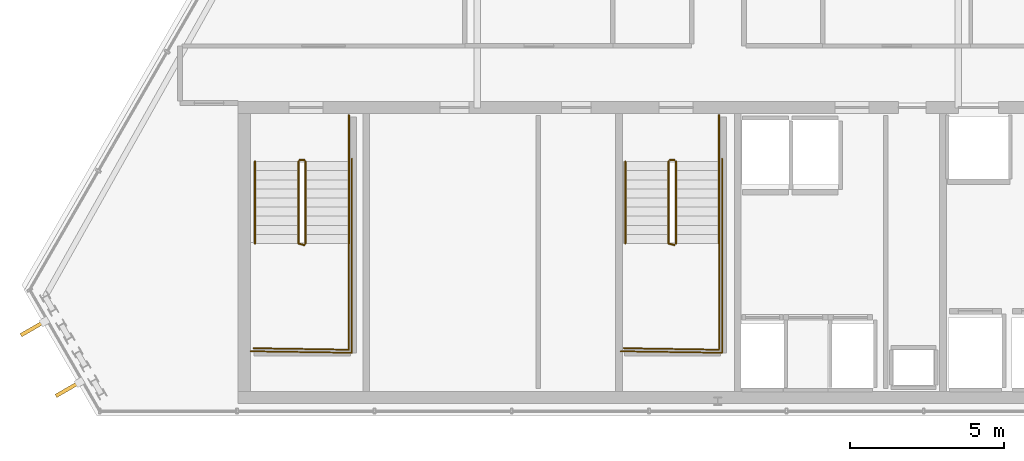
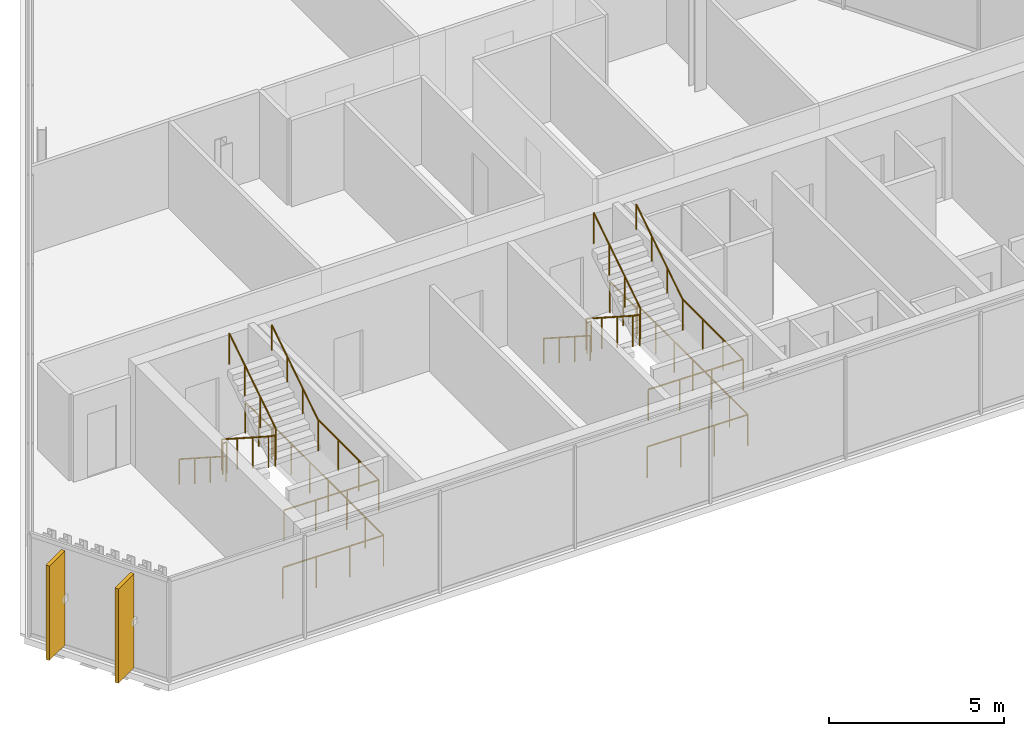
# One storey, part 30 of 32: 16 railings, 2 shading devices.
"""IFC4 building model written with IfcOpenShell, lengths in metres."""

from ifc_helpers import new_model, si_unit, direction, frame, origin, origin_2d, place, context, subcontext, project, spatial, rectangle, circle, extrude, material, layer, layer_set, type_object, element, save


model = new_model("IFC4")

# Units and contexts
model_context = context("Model", 3, precision=1e-05, world=origin(), true_north=direction((0.0, 1.0)))
body_context = subcontext(model_context, "Body", "Model", "MODEL_VIEW")
ifc_project = project(units=[si_unit("LENGTHUNIT", "METRE"), si_unit("AREAUNIT", "SQUARE_METRE"), si_unit("VOLUMEUNIT", "CUBIC_METRE"), si_unit("PLANEANGLEUNIT", "RADIAN"), si_unit("MASSUNIT", "GRAM", prefix="KILO")], contexts=[model_context])

# Site, building, storey
site_placement = place(None, origin())
site = spatial("IfcSite", under=ifc_project, at=site_placement, CompositionType="ELEMENT")
building_placement = place(site_placement, origin())
building = spatial("IfcBuilding", under=site, at=building_placement, Name="Ndaravel Arena Tower", CompositionType="ELEMENT")
storey_placement = place(building_placement, frame((0.0, 0.0, 283.300048828125)))
storey = spatial("IfcBuildingStorey", under=building, at=storey_placement, Name="L69", CompositionType="ELEMENT", Elevation=283.300048828125)

# Railings
ifc_material_1 = material(Name="Steel S355", Category="steel")
ifc_layer_1 = layer(ifc_material_1, 0.06005859375)
ifc_layer_set_1 = layer_set([ifc_layer_1], Name="Steel S355")
railing_type_1 = type_object("IfcRailingType", Name="RAIL-STAIR-GD1100", PredefinedType="GUARDRAIL", material=ifc_layer_set_1)
railing_1_placement = place(storey_placement, frame((28.39990234375, 13.25, 0.18994140625)))
element("IfcRailing", 1, at=railing_1_placement, inside=storey, type_object=railing_type_1, Name="L69 ST-1 stair guard 1", PredefinedType="GUARDRAIL", context=body_context, shape_type="SweptSolid", body=[
    extrude(circle(Radius=0.02392578125, at=origin_2d()), frame((0.0, 0.0, 1.076171875), z_axis=(0.0, -0.840723540582, 0.54146461409), x_axis=(1.0, 0.0, 0.0)), (0.0, 0.0, 1.0), 3.157958984375),
    extrude(circle(Radius=0.02392578125, at=origin_2d()), frame((0.0, -2.655029296875, 2.7861328125), z_axis=(0.967074537263, -0.25449329928, 0.0), x_axis=(0.25449329928, 0.967074537263, 0.0)), (0.0, 0.0, 1.0), 0.19677734375),
    extrude(circle(Radius=0.02099609375, at=origin_2d()), origin(), (0.0, 0.0, 1.0), 1.052001953125),
    extrude(circle(Radius=0.02099609375, at=origin_2d()), frame((0.0, -0.885009765625, 0.570068359375)), (0.0, 0.0, 1.0), 1.052001953125),
    extrude(circle(Radius=0.02099609375, at=origin_2d()), frame((0.0, -1.77001953125, 1.139892578125)), (0.0, 0.0, 1.0), 1.052001953125),
    extrude(circle(Radius=0.02099609375, at=origin_2d()), frame((0.0, -2.655029296875, 1.7099609375)), (0.0, 0.0, 1.0), 1.052001953125),
    extrude(circle(Radius=0.02099609375, at=origin_2d()), frame((0.190185546875, -2.705078125, 1.7099609375)), (0.0, 0.0, 1.0), 1.052001953125),
])
railing_2_placement = place(storey_placement, frame((30.0400390625, 10.594970703125, 1.89990234375)))
element("IfcRailing", 2, at=railing_2_placement, inside=storey, type_object=railing_type_1, Name="L69 ST-1 stair guard 2", PredefinedType="GUARDRAIL", context=body_context, shape_type="SweptSolid", body=[
    extrude(circle(Radius=0.02392578125, at=origin_2d()), frame((0.0, 0.0, 1.076171875), z_axis=(0.0, -1.0, 0.0), x_axis=(1.0, 0.0, 0.0)), (0.0, 0.0, 1.0), 3.445068359375),
    extrude(circle(Radius=0.02392578125, at=origin_2d()), frame((0.0, -3.445068359375, 1.076171875), z_axis=(-0.999868861343, 0.016194447071, 0.0), x_axis=(-0.016194447071, -0.999868861343, 0.0)), (0.0, 0.0, 1.0), 3.090576171875),
    extrude(circle(Radius=0.02099609375, at=origin_2d()), origin(), (0.0, 0.0, 1.0), 1.052001953125),
    extrude(circle(Radius=0.02099609375, at=origin_2d()), frame((0.0, -1.1484375, 0.0)), (0.0, 0.0, 1.0), 1.052001953125),
    extrude(circle(Radius=0.02099609375, at=origin_2d()), frame((0.0, -2.296630859375, 0.0)), (0.0, 0.0, 1.0), 1.052001953125),
    extrude(circle(Radius=0.02099609375, at=origin_2d()), frame((0.0, -3.445068359375, 0.0)), (0.0, 0.0, 1.0), 1.052001953125),
    extrude(circle(Radius=0.02099609375, at=origin_2d()), frame((-1.030029296875, -3.428466796875, 0.0)), (0.0, 0.0, 1.0), 1.052001953125),
    extrude(circle(Radius=0.02099609375, at=origin_2d()), frame((-2.06005859375, -3.41162109375, 0.0)), (0.0, 0.0, 1.0), 1.052001953125),
    extrude(circle(Radius=0.02099609375, at=origin_2d()), frame((-3.090087890625, -3.39501953125, 0.0)), (0.0, 0.0, 1.0), 1.052001953125),
])
railing_3_placement = place(storey_placement, frame((28.639892578125, 10.594970703125, 2.08984375)))
element("IfcRailing", 3, at=railing_3_placement, inside=storey, type_object=railing_type_1, Name="L69 ST-1 stair guard 3", PredefinedType="GUARDRAIL", context=body_context, shape_type="SweptSolid", body=[
    extrude(circle(Radius=0.02392578125, at=origin_2d()), frame((0.0, 0.0, 1.076171875), z_axis=(0.0, 0.840688348013, 0.541519253134), x_axis=(-1.0, 0.0, 0.0)), (0.0, 0.0, 1.0), 3.158203125),
    extrude(circle(Radius=0.02099609375, at=origin_2d()), origin(), (0.0, 0.0, 1.0), 1.052001953125),
    extrude(circle(Radius=0.02099609375, at=origin_2d()), frame((0.0, 0.885009765625, 0.570068359375)), (0.0, 0.0, 1.0), 1.052001953125),
    extrude(circle(Radius=0.02099609375, at=origin_2d()), frame((0.0, 1.77001953125, 1.14013671875)), (0.0, 0.0, 1.0), 1.052001953125),
    extrude(circle(Radius=0.02099609375, at=origin_2d()), frame((0.0, 2.655029296875, 1.710205078125)), (0.0, 0.0, 1.0), 1.052001953125),
])
railing_4_placement = place(storey_placement, frame((28.449951171875, 13.300048828125, 0.0)))
element("IfcRailing", 4, at=railing_4_placement, inside=storey, type_object=railing_type_1, Name="L69 ST-1 stair guard 4", PredefinedType="GUARDRAIL", context=body_context, shape_type="SweptSolid", body=[
    extrude(circle(Radius=0.02392578125, at=origin_2d()), frame((0.0, 0.0, 1.076171875), z_axis=(1.0, 0.0, 0.0), x_axis=(0.0, 1.0, 0.0)), (0.0, 0.0, 1.0), 0.14013671875),
    extrude(circle(Radius=0.02099609375, at=origin_2d()), origin(), (0.0, 0.0, 1.0), 1.052001953125),
    extrude(circle(Radius=0.02099609375, at=origin_2d()), frame((0.14013671875, 0.0, 0.0)), (0.0, 0.0, 1.0), 1.052001953125),
])
railing_5_placement = place(storey_placement, frame((30.0400390625, 14.75, 0.0)))
element("IfcRailing", 5, at=railing_5_placement, inside=storey, type_object=railing_type_1, Name="L69 ST-1 stair guard 5", PredefinedType="GUARDRAIL", context=body_context, shape_type="SweptSolid", body=[
    extrude(circle(Radius=0.02392578125, at=origin_2d()), frame((0.0, 0.0, 1.076171875), z_axis=(0.0, -1.0, 0.0), x_axis=(1.0, 0.0, 0.0)), (0.0, 0.0, 1.0), 1.5),
    extrude(circle(Radius=0.02099609375, at=origin_2d()), origin(), (0.0, 0.0, 1.0), 1.052001953125),
    extrude(circle(Radius=0.02099609375, at=origin_2d()), frame((0.0, -0.75, 0.0)), (0.0, 0.0, 1.0), 1.052001953125),
    extrude(circle(Radius=0.02099609375, at=origin_2d()), frame((0.0, -1.5, 0.0)), (0.0, 0.0, 1.0), 1.052001953125),
])
railing_6_placement = place(storey_placement, frame((30.139892578125, 13.35009765625, 0.0)))
element("IfcRailing", 6, at=railing_6_placement, inside=storey, type_object=railing_type_1, Name="L69 ST-1 stair guard 6", PredefinedType="GUARDRAIL", context=body_context, shape_type="SweptSolid", body=[
    extrude(circle(Radius=0.02392578125, at=origin_2d()), frame((0.0, 0.0, 1.076171875), z_axis=(0.0, -1.0, 0.0), x_axis=(1.0, 0.0, 0.0)), (0.0, 0.0, 1.0), 6.300048828125),
    extrude(circle(Radius=0.02392578125, at=origin_2d()), frame((0.0, -6.300048828125, 1.076171875), z_axis=(-0.999884296952, 0.015211597839, 0.0), x_axis=(-0.015211597839, -0.999884296952, 0.0)), (0.0, 0.0, 1.0), 3.290283203125),
    extrude(circle(Radius=0.02099609375, at=origin_2d()), origin(), (0.0, 0.0, 1.0), 1.052001953125),
    extrude(circle(Radius=0.02099609375, at=origin_2d()), frame((0.0, -1.050048828125, 0.0)), (0.0, 0.0, 1.0), 1.052001953125),
    extrude(circle(Radius=0.02099609375, at=origin_2d()), frame((0.0, -2.10009765625, 0.0)), (0.0, 0.0, 1.0), 1.052001953125),
    extrude(circle(Radius=0.02099609375, at=origin_2d()), frame((0.0, -3.14990234375, 0.0)), (0.0, 0.0, 1.0), 1.052001953125),
    extrude(circle(Radius=0.02099609375, at=origin_2d()), frame((0.0, -4.199951171875, 0.0)), (0.0, 0.0, 1.0), 1.052001953125),
    extrude(circle(Radius=0.02099609375, at=origin_2d()), frame((0.0, -5.25, 0.0)), (0.0, 0.0, 1.0), 1.052001953125),
    extrude(circle(Radius=0.02099609375, at=origin_2d()), frame((0.0, -6.300048828125, 0.0)), (0.0, 0.0, 1.0), 1.052001953125),
    extrude(circle(Radius=0.02099609375, at=origin_2d()), frame((-1.0966796875, -6.283447265625, 0.0)), (0.0, 0.0, 1.0), 1.052001953125),
    extrude(circle(Radius=0.02099609375, at=origin_2d()), frame((-2.193115234375, -6.2666015625, 0.0)), (0.0, 0.0, 1.0), 1.052001953125),
    extrude(circle(Radius=0.02099609375, at=origin_2d()), frame((-3.289794921875, -6.25, 0.0)), (0.0, 0.0, 1.0), 1.052001953125),
])
railing_7_placement = place(storey_placement, frame((40.39990234375, 13.25, 0.18994140625)))
element("IfcRailing", 7, at=railing_7_placement, inside=storey, type_object=railing_type_1, Name="L69 ST-2 stair guard 1", PredefinedType="GUARDRAIL", context=body_context, shape_type="SweptSolid", body=[
    extrude(circle(Radius=0.02392578125, at=origin_2d()), frame((0.0, 0.0, 1.076171875), z_axis=(0.0, -0.840723540582, 0.54146461409), x_axis=(1.0, 0.0, 0.0)), (0.0, 0.0, 1.0), 3.157958984375),
    extrude(circle(Radius=0.02392578125, at=origin_2d()), frame((0.0, -2.655029296875, 2.7861328125), z_axis=(0.967074537263, -0.25449329928, 0.0), x_axis=(0.25449329928, 0.967074537263, 0.0)), (0.0, 0.0, 1.0), 0.19677734375),
    extrude(circle(Radius=0.02099609375, at=origin_2d()), origin(), (0.0, 0.0, 1.0), 1.052001953125),
    extrude(circle(Radius=0.02099609375, at=origin_2d()), frame((0.0, -0.885009765625, 0.570068359375)), (0.0, 0.0, 1.0), 1.052001953125),
    extrude(circle(Radius=0.02099609375, at=origin_2d()), frame((0.0, -1.77001953125, 1.139892578125)), (0.0, 0.0, 1.0), 1.052001953125),
    extrude(circle(Radius=0.02099609375, at=origin_2d()), frame((0.0, -2.655029296875, 1.7099609375)), (0.0, 0.0, 1.0), 1.052001953125),
    extrude(circle(Radius=0.02099609375, at=origin_2d()), frame((0.190185546875, -2.705078125, 1.7099609375)), (0.0, 0.0, 1.0), 1.052001953125),
])
railing_8_placement = place(storey_placement, frame((42.0400390625, 10.594970703125, 1.89990234375)))
element("IfcRailing", 8, at=railing_8_placement, inside=storey, type_object=railing_type_1, Name="L69 ST-2 stair guard 2", PredefinedType="GUARDRAIL", context=body_context, shape_type="SweptSolid", body=[
    extrude(circle(Radius=0.02392578125, at=origin_2d()), frame((0.0, 0.0, 1.076171875), z_axis=(0.0, -1.0, 0.0), x_axis=(1.0, 0.0, 0.0)), (0.0, 0.0, 1.0), 3.445068359375),
    extrude(circle(Radius=0.02392578125, at=origin_2d()), frame((0.0, -3.445068359375, 1.076171875), z_axis=(-0.999868861343, 0.016194447071, 0.0), x_axis=(-0.016194447071, -0.999868861343, 0.0)), (0.0, 0.0, 1.0), 3.090576171875),
    extrude(circle(Radius=0.02099609375, at=origin_2d()), origin(), (0.0, 0.0, 1.0), 1.052001953125),
    extrude(circle(Radius=0.02099609375, at=origin_2d()), frame((0.0, -1.1484375, 0.0)), (0.0, 0.0, 1.0), 1.052001953125),
    extrude(circle(Radius=0.02099609375, at=origin_2d()), frame((0.0, -2.296630859375, 0.0)), (0.0, 0.0, 1.0), 1.052001953125),
    extrude(circle(Radius=0.02099609375, at=origin_2d()), frame((0.0, -3.445068359375, 0.0)), (0.0, 0.0, 1.0), 1.052001953125),
    extrude(circle(Radius=0.02099609375, at=origin_2d()), frame((-1.030029296875, -3.428466796875, 0.0)), (0.0, 0.0, 1.0), 1.052001953125),
    extrude(circle(Radius=0.02099609375, at=origin_2d()), frame((-2.06005859375, -3.41162109375, 0.0)), (0.0, 0.0, 1.0), 1.052001953125),
    extrude(circle(Radius=0.02099609375, at=origin_2d()), frame((-3.090087890625, -3.39501953125, 0.0)), (0.0, 0.0, 1.0), 1.052001953125),
])
railing_9_placement = place(storey_placement, frame((40.639892578125, 10.594970703125, 2.08984375)))
element("IfcRailing", 9, at=railing_9_placement, inside=storey, type_object=railing_type_1, Name="L69 ST-2 stair guard 3", PredefinedType="GUARDRAIL", context=body_context, shape_type="SweptSolid", body=[
    extrude(circle(Radius=0.02392578125, at=origin_2d()), frame((0.0, 0.0, 1.076171875), z_axis=(0.0, 0.840688348013, 0.541519253134), x_axis=(-1.0, 0.0, 0.0)), (0.0, 0.0, 1.0), 3.158203125),
    extrude(circle(Radius=0.02099609375, at=origin_2d()), origin(), (0.0, 0.0, 1.0), 1.052001953125),
    extrude(circle(Radius=0.02099609375, at=origin_2d()), frame((0.0, 0.885009765625, 0.570068359375)), (0.0, 0.0, 1.0), 1.052001953125),
    extrude(circle(Radius=0.02099609375, at=origin_2d()), frame((0.0, 1.77001953125, 1.14013671875)), (0.0, 0.0, 1.0), 1.052001953125),
    extrude(circle(Radius=0.02099609375, at=origin_2d()), frame((0.0, 2.655029296875, 1.710205078125)), (0.0, 0.0, 1.0), 1.052001953125),
])
railing_10_placement = place(storey_placement, frame((40.449951171875, 13.300048828125, 0.0)))
element("IfcRailing", 10, at=railing_10_placement, inside=storey, type_object=railing_type_1, Name="L69 ST-2 stair guard 4", PredefinedType="GUARDRAIL", context=body_context, shape_type="SweptSolid", body=[
    extrude(circle(Radius=0.02392578125, at=origin_2d()), frame((0.0, 0.0, 1.076171875), z_axis=(1.0, 0.0, 0.0), x_axis=(0.0, 1.0, 0.0)), (0.0, 0.0, 1.0), 0.14013671875),
    extrude(circle(Radius=0.02099609375, at=origin_2d()), origin(), (0.0, 0.0, 1.0), 1.052001953125),
    extrude(circle(Radius=0.02099609375, at=origin_2d()), frame((0.14013671875, 0.0, 0.0)), (0.0, 0.0, 1.0), 1.052001953125),
])
railing_11_placement = place(storey_placement, frame((42.0400390625, 14.75, 0.0)))
element("IfcRailing", 11, at=railing_11_placement, inside=storey, type_object=railing_type_1, Name="L69 ST-2 stair guard 5", PredefinedType="GUARDRAIL", context=body_context, shape_type="SweptSolid", body=[
    extrude(circle(Radius=0.02392578125, at=origin_2d()), frame((0.0, 0.0, 1.076171875), z_axis=(0.0, -1.0, 0.0), x_axis=(1.0, 0.0, 0.0)), (0.0, 0.0, 1.0), 1.5),
    extrude(circle(Radius=0.02099609375, at=origin_2d()), origin(), (0.0, 0.0, 1.0), 1.052001953125),
    extrude(circle(Radius=0.02099609375, at=origin_2d()), frame((0.0, -0.75, 0.0)), (0.0, 0.0, 1.0), 1.052001953125),
    extrude(circle(Radius=0.02099609375, at=origin_2d()), frame((0.0, -1.5, 0.0)), (0.0, 0.0, 1.0), 1.052001953125),
])
railing_12_placement = place(storey_placement, frame((42.139892578125, 13.35009765625, 0.0)))
element("IfcRailing", 12, at=railing_12_placement, inside=storey, type_object=railing_type_1, Name="L69 ST-2 stair guard 6", PredefinedType="GUARDRAIL", context=body_context, shape_type="SweptSolid", body=[
    extrude(circle(Radius=0.02392578125, at=origin_2d()), frame((0.0, 0.0, 1.076171875), z_axis=(0.0, -1.0, 0.0), x_axis=(1.0, 0.0, 0.0)), (0.0, 0.0, 1.0), 6.300048828125),
    extrude(circle(Radius=0.02392578125, at=origin_2d()), frame((0.0, -6.300048828125, 1.076171875), z_axis=(-0.999884296952, 0.015211597839, 0.0), x_axis=(-0.015211597839, -0.999884296952, 0.0)), (0.0, 0.0, 1.0), 3.290283203125),
    extrude(circle(Radius=0.02099609375, at=origin_2d()), origin(), (0.0, 0.0, 1.0), 1.052001953125),
    extrude(circle(Radius=0.02099609375, at=origin_2d()), frame((0.0, -1.050048828125, 0.0)), (0.0, 0.0, 1.0), 1.052001953125),
    extrude(circle(Radius=0.02099609375, at=origin_2d()), frame((0.0, -2.10009765625, 0.0)), (0.0, 0.0, 1.0), 1.052001953125),
    extrude(circle(Radius=0.02099609375, at=origin_2d()), frame((0.0, -3.14990234375, 0.0)), (0.0, 0.0, 1.0), 1.052001953125),
    extrude(circle(Radius=0.02099609375, at=origin_2d()), frame((0.0, -4.199951171875, 0.0)), (0.0, 0.0, 1.0), 1.052001953125),
    extrude(circle(Radius=0.02099609375, at=origin_2d()), frame((0.0, -5.25, 0.0)), (0.0, 0.0, 1.0), 1.052001953125),
    extrude(circle(Radius=0.02099609375, at=origin_2d()), frame((0.0, -6.300048828125, 0.0)), (0.0, 0.0, 1.0), 1.052001953125),
    extrude(circle(Radius=0.02099609375, at=origin_2d()), frame((-1.0966796875, -6.283447265625, 0.0)), (0.0, 0.0, 1.0), 1.052001953125),
    extrude(circle(Radius=0.02099609375, at=origin_2d()), frame((-2.193115234375, -6.2666015625, 0.0)), (0.0, 0.0, 1.0), 1.052001953125),
    extrude(circle(Radius=0.02099609375, at=origin_2d()), frame((-3.289794921875, -6.25, 0.0)), (0.0, 0.0, 1.0), 1.052001953125),
])
ifc_material_2 = material(Name="Steel S355", Category="steel")
ifc_layer_2 = layer(ifc_material_2, 0.050048828125)
ifc_layer_set_2 = layer_set([ifc_layer_2], Name="Steel S355")
railing_type_2 = type_object("IfcRailingType", Name="RAIL-STAIR-HR920", PredefinedType="HANDRAIL", material=ifc_layer_set_2)
railing_13_placement = place(storey_placement, frame((27.0, 13.25, 0.18994140625)))
element("IfcRailing", 13, at=railing_13_placement, inside=storey, type_object=railing_type_2, Name="L69 ST-1 stair handrail 1", PredefinedType="HANDRAIL", context=body_context, shape_type="SweptSolid", body=[
    extrude(circle(Radius=0.02392578125, at=origin_2d()), frame((0.0, 0.0, 0.8759765625), z_axis=(0.0, -0.840723540582, 0.54146461409), x_axis=(1.0, 0.0, 0.0)), (0.0, 0.0, 1.0), 3.157958984375),
    extrude(circle(Radius=0.02099609375, at=origin_2d()), origin(), (0.0, 0.0, 1.0), 0.851806640625),
    extrude(circle(Radius=0.02099609375, at=origin_2d()), frame((0.0, -0.885009765625, 0.570068359375)), (0.0, 0.0, 1.0), 0.851806640625),
    extrude(circle(Radius=0.02099609375, at=origin_2d()), frame((0.0, -1.77001953125, 1.139892578125)), (0.0, 0.0, 1.0), 0.851806640625),
    extrude(circle(Radius=0.02099609375, at=origin_2d()), frame((0.0, -2.655029296875, 1.7099609375)), (0.0, 0.0, 1.0), 0.851806640625),
])
railing_14_placement = place(storey_placement, frame((30.0400390625, 10.594970703125, 2.08984375)))
element("IfcRailing", 14, at=railing_14_placement, inside=storey, type_object=railing_type_2, Name="L69 ST-1 stair handrail 2", PredefinedType="HANDRAIL", context=body_context, shape_type="SweptSolid", body=[
    extrude(circle(Radius=0.02392578125, at=origin_2d()), frame((0.0, 0.0, 0.8759765625), z_axis=(0.0, 0.840688348013, 0.541519253134), x_axis=(-1.0, 0.0, 0.0)), (0.0, 0.0, 1.0), 3.158203125),
    extrude(circle(Radius=0.02099609375, at=origin_2d()), origin(), (0.0, 0.0, 1.0), 0.851806640625),
    extrude(circle(Radius=0.02099609375, at=origin_2d()), frame((0.0, 0.885009765625, 0.570068359375)), (0.0, 0.0, 1.0), 0.851806640625),
    extrude(circle(Radius=0.02099609375, at=origin_2d()), frame((0.0, 1.77001953125, 1.14013671875)), (0.0, 0.0, 1.0), 0.851806640625),
    extrude(circle(Radius=0.02099609375, at=origin_2d()), frame((0.0, 2.655029296875, 1.710205078125)), (0.0, 0.0, 1.0), 0.851806640625),
])
railing_15_placement = place(storey_placement, frame((39.0, 13.25, 0.18994140625)))
element("IfcRailing", 15, at=railing_15_placement, inside=storey, type_object=railing_type_2, Name="L69 ST-2 stair handrail 1", PredefinedType="HANDRAIL", context=body_context, shape_type="SweptSolid", body=[
    extrude(circle(Radius=0.02392578125, at=origin_2d()), frame((0.0, 0.0, 0.8759765625), z_axis=(0.0, -0.840723540582, 0.54146461409), x_axis=(1.0, 0.0, 0.0)), (0.0, 0.0, 1.0), 3.157958984375),
    extrude(circle(Radius=0.02099609375, at=origin_2d()), origin(), (0.0, 0.0, 1.0), 0.851806640625),
    extrude(circle(Radius=0.02099609375, at=origin_2d()), frame((0.0, -0.885009765625, 0.570068359375)), (0.0, 0.0, 1.0), 0.851806640625),
    extrude(circle(Radius=0.02099609375, at=origin_2d()), frame((0.0, -1.77001953125, 1.139892578125)), (0.0, 0.0, 1.0), 0.851806640625),
    extrude(circle(Radius=0.02099609375, at=origin_2d()), frame((0.0, -2.655029296875, 1.7099609375)), (0.0, 0.0, 1.0), 0.851806640625),
])
railing_16_placement = place(storey_placement, frame((42.0400390625, 10.594970703125, 2.08984375)))
element("IfcRailing", 16, at=railing_16_placement, inside=storey, type_object=railing_type_2, Name="L69 ST-2 stair handrail 2", PredefinedType="HANDRAIL", context=body_context, shape_type="SweptSolid", body=[
    extrude(circle(Radius=0.02392578125, at=origin_2d()), frame((0.0, 0.0, 0.8759765625), z_axis=(0.0, 0.840688348013, 0.541519253134), x_axis=(-1.0, 0.0, 0.0)), (0.0, 0.0, 1.0), 3.158203125),
    extrude(circle(Radius=0.02099609375, at=origin_2d()), origin(), (0.0, 0.0, 1.0), 0.851806640625),
    extrude(circle(Radius=0.02099609375, at=origin_2d()), frame((0.0, 0.885009765625, 0.570068359375)), (0.0, 0.0, 1.0), 0.851806640625),
    extrude(circle(Radius=0.02099609375, at=origin_2d()), frame((0.0, 1.77001953125, 1.14013671875)), (0.0, 0.0, 1.0), 0.851806640625),
    extrude(circle(Radius=0.02099609375, at=origin_2d()), frame((0.0, 2.655029296875, 1.710205078125)), (0.0, 0.0, 1.0), 0.851806640625),
])

# Shading devices
ifc_material_3 = material(Name="Masonry", Category="masonry")
shading_device_type = type_object("IfcShadingDeviceType", Name="SHD-MAZERAS-FIN", PredefinedType="SHUTTER", material=ifc_material_3)
for number, where, z_axis, x_axis, name in (
    (17, (19.798095703125, 7.844970703125, 0.14990234375), (0.0, 0.0, 1.0), (-0.866025403784, -0.5, 0.0), "L69 Mazeras Stone Solar Fin E6.1"),
    (18, (20.934326171875, 5.876953125, 0.14990234375), (0.0, 0.0, 1.0), (-0.866025403784, -0.5, 0.0), "L69 Mazeras Stone Solar Fin E6.2"),
):
    element("IfcShadingDevice", number, at=place(storey_placement, frame(where, z_axis=z_axis, x_axis=x_axis)), inside=storey, type_object=shading_device_type, Name=name, PredefinedType="SHUTTER", context=body_context, shape_type="SweptSolid", body=[
        extrude(rectangle(XDim=0.89990234375, YDim=0.1201171875, at=origin_2d()), origin(), (0.0, 0.0, 1.0), 3.280029296875),
    ])

save(model, "model.ifc")
